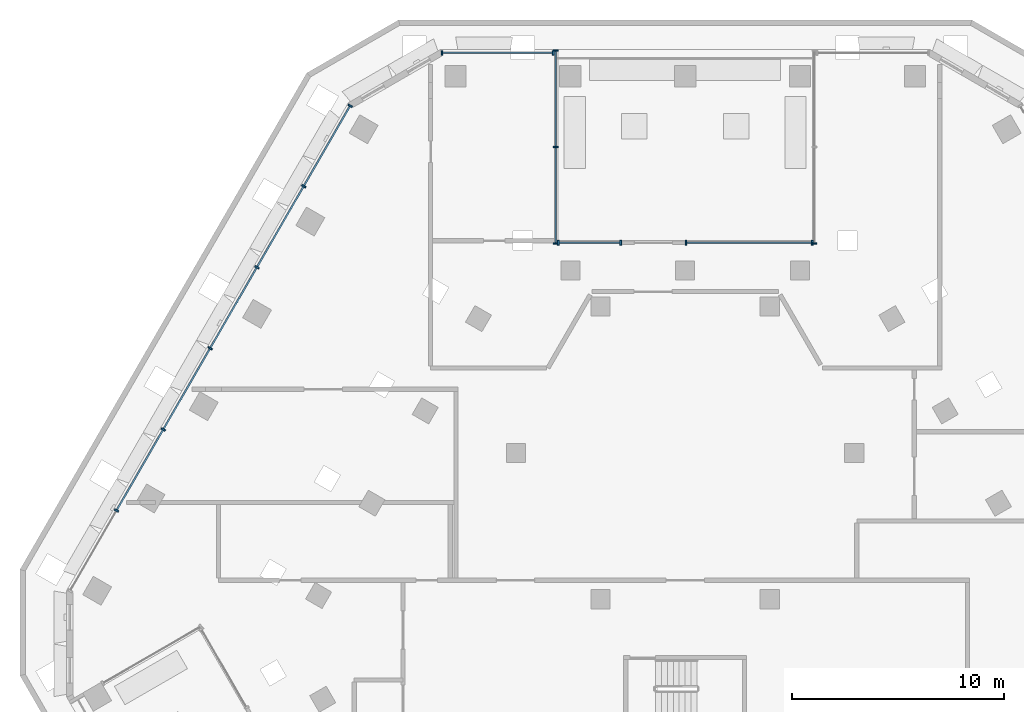
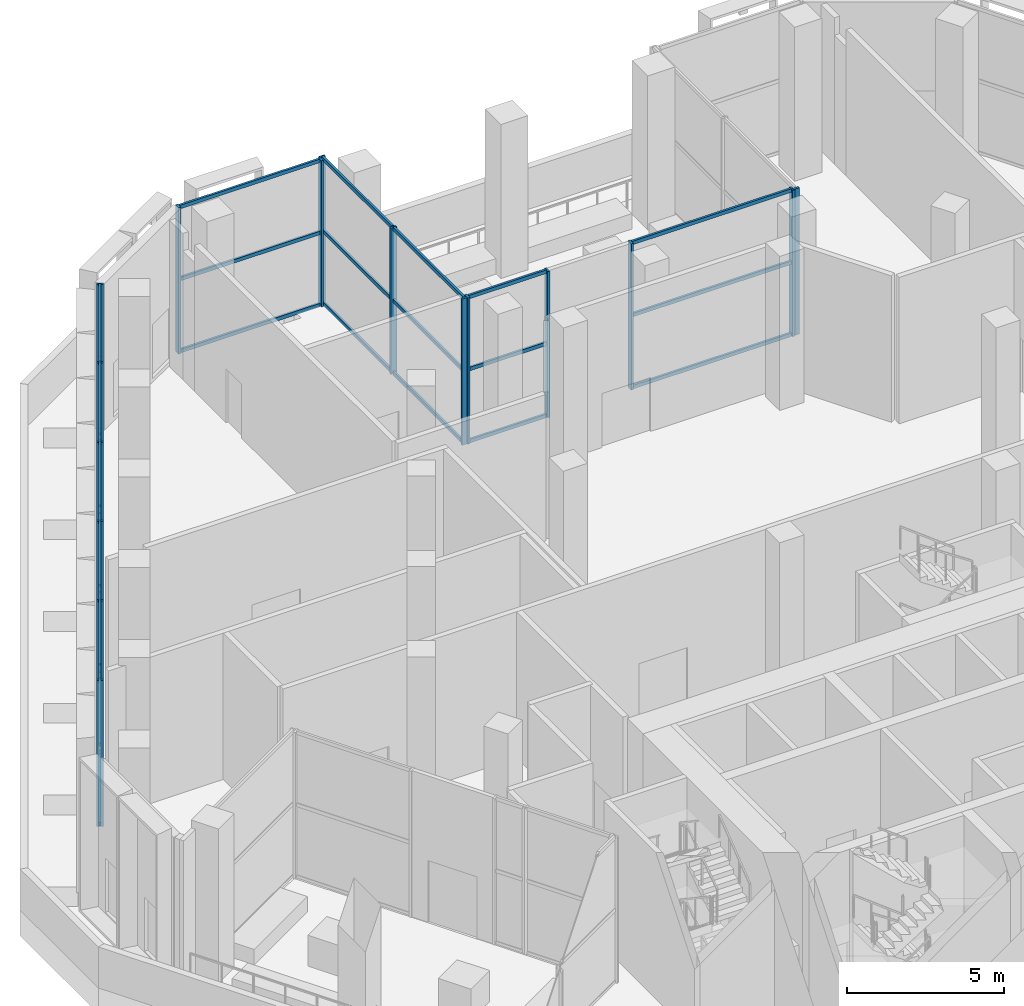
# One storey, part 4 of 23: 46 members, 6 elements without a shape of their own.
"""IFC4 building model written with IfcOpenShell, lengths in metres."""

from ifc_helpers import new_model, si_unit, direction, frame, origin, origin_2d, place, context, subcontext, project, spatial, rectangle, hollow_rectangle, extrude, material, material_profile, profile_set, type_object, element, aggregate, save


model = new_model("IFC4")

# Units and contexts
model_context = context("Model", 3, precision=1e-05, world=origin(), true_north=direction((0.0, 1.0)))
body_context = subcontext(model_context, "Body", "Model", "MODEL_VIEW")
ifc_project = project(units=[si_unit("LENGTHUNIT", "METRE"), si_unit("AREAUNIT", "SQUARE_METRE"), si_unit("VOLUMEUNIT", "CUBIC_METRE"), si_unit("PLANEANGLEUNIT", "RADIAN"), si_unit("MASSUNIT", "GRAM", prefix="KILO")], contexts=[model_context])

# Site, building, storey
site_placement = place(None, origin())
site = spatial("IfcSite", under=ifc_project, at=site_placement, CompositionType="ELEMENT")
building_placement = place(site_placement, origin())
building = spatial("IfcBuilding", under=site, at=building_placement, Name="Beryl Residences", CompositionType="ELEMENT")
storey_placement = place(building_placement, frame((0.0, 0.0, 66.0)))
storey = spatial("IfcBuildingStorey", under=building, at=storey_placement, Name="L20", CompositionType="ELEMENT", Elevation=66.0)

# Curtain wall, members
ifc_material_1 = material(Name="Aluminium and clear glass", Category="aluminium")
curtain_wall_type = type_object("IfcCurtainWallType", Name="CW3 sky garden glazing glazed wall", PredefinedType="NOTDEFINED", material=ifc_material_1)
curtain_wall_1_placement = place(storey_placement, origin())
curtain_wall_1 = element("IfcCurtainWall", 1, at=curtain_wall_1_placement, inside=storey, type_object=curtain_wall_type, Name="CW3 L20 N", PredefinedType="NOTDEFINED")
ifc_material_2 = material(Name="Aluminium", Category="aluminium")
ifc_material_profile_1 = material_profile(ifc_material_2, rectangle(XDim=0.080078125, YDim=0.219970703125, at=origin_2d()))
ifc_profile_set_1 = profile_set([ifc_material_profile_1], Name="Aluminium")
member_type_1 = type_object("IfcMemberType", Name="CW3-M mullion 80 x 220 mm", PredefinedType="MULLION", material=ifc_profile_set_1)
member_1_placement = place(storey_placement, frame((-6.215087890625, 26.85009765625, 0.0), z_axis=(0.0, 0.0, 1.0), x_axis=(-1.0, 0.0, 0.0)))
member_1 = element("IfcMember", 2, at=member_1_placement, type_object=member_type_1, Name="CW3 mullion 1", PredefinedType="MULLION", context=body_context, shape_type="SweptSolid", body=[
    extrude(rectangle(XDim=0.080078125, YDim=0.219970703125, at=origin_2d()), origin(), (0.0, 0.0, 1.0), 5.699951171875),
])
member_2_placement = place(storey_placement, frame((-11.467041015625, 26.85009765625, 0.0), z_axis=(0.0, 0.0, 1.0), x_axis=(-1.0, 0.0, 0.0)))
member_2 = element("IfcMember", 3, at=member_2_placement, type_object=member_type_1, Name="CW3 mullion 2", PredefinedType="MULLION", context=body_context, shape_type="SweptSolid", body=[
    extrude(rectangle(XDim=0.080078125, YDim=0.219970703125, at=origin_2d()), origin(), (0.0, 0.0, 1.0), 5.699951171875),
])

curtain_wall_2_placement = place(storey_placement, origin())
curtain_wall_2 = element("IfcCurtainWall", 4, at=curtain_wall_2_placement, inside=storey, type_object=curtain_wall_type, Name="CW3 L20 NW", PredefinedType="NOTDEFINED")
member_3_placement = place(storey_placement, frame((-15.7880859375, 24.35546875, 0.0), z_axis=(0.0, 0.0, 1.0), x_axis=(-0.500010149942, -0.866019543634, 0.0)))
member_3 = element("IfcMember", 5, at=member_3_placement, type_object=member_type_1, Name="CW3 mullion 1", PredefinedType="MULLION", context=body_context, shape_type="SweptSolid", body=[
    extrude(rectangle(XDim=0.080078125, YDim=0.219970703125, at=origin_2d()), origin(), (0.0, 0.0, 1.0), 5.699951171875),
])
member_4_placement = place(storey_placement, frame((-17.974609375, 20.568359375, 0.0), z_axis=(0.0, 0.0, 1.0), x_axis=(-0.500010149942, -0.866019543634, 0.0)))
member_4 = element("IfcMember", 6, at=member_4_placement, type_object=member_type_1, Name="CW3 mullion 2", PredefinedType="MULLION", context=body_context, shape_type="SweptSolid", body=[
    extrude(rectangle(XDim=0.080078125, YDim=0.219970703125, at=origin_2d()), origin(), (0.0, 0.0, 1.0), 5.699951171875),
])
member_5_placement = place(storey_placement, frame((-20.180908203125, 16.74658203125, 0.0), z_axis=(0.0, 0.0, 1.0), x_axis=(-0.500010149942, -0.866019543634, 0.0)))
member_5 = element("IfcMember", 7, at=member_5_placement, type_object=member_type_1, Name="CW3 mullion 3", PredefinedType="MULLION", context=body_context, shape_type="SweptSolid", body=[
    extrude(rectangle(XDim=0.080078125, YDim=0.219970703125, at=origin_2d()), origin(), (0.0, 0.0, 1.0), 5.699951171875),
])
member_6_placement = place(storey_placement, frame((-22.387451171875, 12.925048828125, 0.0), z_axis=(0.0, 0.0, 1.0), x_axis=(-0.500010149942, -0.866019543634, 0.0)))
member_6 = element("IfcMember", 8, at=member_6_placement, type_object=member_type_1, Name="CW3 mullion 4", PredefinedType="MULLION", context=body_context, shape_type="SweptSolid", body=[
    extrude(rectangle(XDim=0.080078125, YDim=0.219970703125, at=origin_2d()), origin(), (0.0, 0.0, 1.0), 5.699951171875),
])
member_7_placement = place(storey_placement, frame((-24.593994140625, 9.103271484375, 0.0), z_axis=(0.0, 0.0, 1.0), x_axis=(-0.500010149942, -0.866019543634, 0.0)))
member_7 = element("IfcMember", 9, at=member_7_placement, type_object=member_type_1, Name="CW3 mullion 5", PredefinedType="MULLION", context=body_context, shape_type="SweptSolid", body=[
    extrude(rectangle(XDim=0.080078125, YDim=0.219970703125, at=origin_2d()), origin(), (0.0, 0.0, 1.0), 5.699951171875),
])
member_8_placement = place(storey_placement, frame((-26.800537109375, 5.28173828125, 0.0), z_axis=(0.0, 0.0, 1.0), x_axis=(-0.500010149942, -0.866019543634, 0.0)))
member_8 = element("IfcMember", 10, at=member_8_placement, type_object=member_type_1, Name="CW3 mullion 6", PredefinedType="MULLION", context=body_context, shape_type="SweptSolid", body=[
    extrude(rectangle(XDim=0.080078125, YDim=0.219970703125, at=origin_2d()), origin(), (0.0, 0.0, 1.0), 5.699951171875),
])

curtain_wall_3_placement = place(storey_placement, origin())
curtain_wall_3 = element("IfcCurtainWall", 11, at=curtain_wall_3_placement, inside=storey, type_object=curtain_wall_type, Name="CW3 L20 N garden back", PredefinedType="NOTDEFINED")
member_9_placement = place(storey_placement, frame((5.985107421875, 17.89990234375, 0.0), z_axis=(0.0, 0.0, 1.0), x_axis=(-1.0, 0.0, 0.0)))
member_9 = element("IfcMember", 12, at=member_9_placement, type_object=member_type_1, Name="CW3 mullion 1", PredefinedType="MULLION", context=body_context, shape_type="SweptSolid", body=[
    extrude(rectangle(XDim=0.080078125, YDim=0.219970703125, at=origin_2d()), origin(), (0.0, 0.0, 1.0), 5.699951171875),
])
member_10_placement = place(storey_placement, frame((0.0400390625, 17.89990234375, 0.0), z_axis=(0.0, 0.0, 1.0), x_axis=(-1.0, 0.0, 0.0)))
member_10 = element("IfcMember", 13, at=member_10_placement, type_object=member_type_1, Name="CW3 mullion 2", PredefinedType="MULLION", context=body_context, shape_type="SweptSolid", body=[
    extrude(rectangle(XDim=0.080078125, YDim=0.219970703125, at=origin_2d()), origin(), (0.0, 0.0, 1.0), 5.699951171875),
])

curtain_wall_4_placement = place(storey_placement, origin())
curtain_wall_4 = element("IfcCurtainWall", 14, at=curtain_wall_4_placement, inside=storey, type_object=curtain_wall_type, Name="CW3 L20 N garden back", PredefinedType="NOTDEFINED")
member_11_placement = place(storey_placement, frame((-3.0400390625, 17.89990234375, 0.0), z_axis=(0.0, 0.0, 1.0), x_axis=(-1.0, 0.0, 0.0)))
member_11 = element("IfcMember", 15, at=member_11_placement, type_object=member_type_1, Name="CW3 mullion 1", PredefinedType="MULLION", context=body_context, shape_type="SweptSolid", body=[
    extrude(rectangle(XDim=0.080078125, YDim=0.219970703125, at=origin_2d()), origin(), (0.0, 0.0, 1.0), 5.699951171875),
])
member_12_placement = place(storey_placement, frame((-5.985107421875, 17.89990234375, 0.0), z_axis=(0.0, 0.0, 1.0), x_axis=(-1.0, 0.0, 0.0)))
member_12 = element("IfcMember", 16, at=member_12_placement, type_object=member_type_1, Name="CW3 mullion 2", PredefinedType="MULLION", context=body_context, shape_type="SweptSolid", body=[
    extrude(rectangle(XDim=0.080078125, YDim=0.219970703125, at=origin_2d()), origin(), (0.0, 0.0, 1.0), 5.699951171875),
])

# Curtain wall, member
curtain_wall_5_placement = place(storey_placement, origin())
curtain_wall_5 = element("IfcCurtainWall", 17, at=curtain_wall_5_placement, inside=storey, type_object=curtain_wall_type, Name="CW3 L20 N garden left", PredefinedType="NOTDEFINED")
member_13_placement = place(storey_placement, frame((6.10009765625, 17.864990234375, 0.0), z_axis=(0.0, 0.0, 1.0), x_axis=(0.0, -1.0, 0.0)))
member_13 = element("IfcMember", 18, at=member_13_placement, type_object=member_type_1, Name="CW3 mullion 3", PredefinedType="MULLION", context=body_context, shape_type="SweptSolid", body=[
    extrude(rectangle(XDim=0.080078125, YDim=0.219970703125, at=origin_2d()), origin(), (0.0, 0.0, 1.0), 5.699951171875),
])
aggregate(curtain_wall_5, [member_13])

# Curtain wall, members
curtain_wall_6_placement = place(storey_placement, origin())
curtain_wall_6 = element("IfcCurtainWall", 19, at=curtain_wall_6_placement, inside=storey, type_object=curtain_wall_type, Name="CW3 L20 N garden right", PredefinedType="NOTDEFINED")
member_14_placement = place(storey_placement, frame((-6.10009765625, 26.9599609375, 0.0), z_axis=(0.0, 0.0, 1.0), x_axis=(0.0, -1.0, 0.0)))
member_14 = element("IfcMember", 20, at=member_14_placement, type_object=member_type_1, Name="CW3 mullion 1", PredefinedType="MULLION", context=body_context, shape_type="SweptSolid", body=[
    extrude(rectangle(XDim=0.080078125, YDim=0.219970703125, at=origin_2d()), origin(), (0.0, 0.0, 1.0), 5.699951171875),
])
member_15_placement = place(storey_placement, frame((-6.10009765625, 22.41259765625, 0.0), z_axis=(0.0, 0.0, 1.0), x_axis=(0.0, -1.0, 0.0)))
member_15 = element("IfcMember", 21, at=member_15_placement, type_object=member_type_1, Name="CW3 mullion 2", PredefinedType="MULLION", context=body_context, shape_type="SweptSolid", body=[
    extrude(rectangle(XDim=0.080078125, YDim=0.219970703125, at=origin_2d()), origin(), (0.0, 0.0, 1.0), 5.699951171875),
])
member_16_placement = place(storey_placement, frame((-6.10009765625, 17.864990234375, 0.0), z_axis=(0.0, 0.0, 1.0), x_axis=(0.0, -1.0, 0.0)))
member_16 = element("IfcMember", 22, at=member_16_placement, type_object=member_type_1, Name="CW3 mullion 3", PredefinedType="MULLION", context=body_context, shape_type="SweptSolid", body=[
    extrude(rectangle(XDim=0.080078125, YDim=0.219970703125, at=origin_2d()), origin(), (0.0, 0.0, 1.0), 5.699951171875),
])

# Member
ifc_material_3 = material(Name="Aluminium", Category="aluminium")
ifc_material_profile_2 = material_profile(ifc_material_3, hollow_rectangle(XDim=0.080078125, YDim=0.139892578125, WallThickness=0.00390625, at=origin_2d()))
ifc_profile_set_2 = profile_set([ifc_material_profile_2], Name="Aluminium")
member_type_2 = type_object("IfcMemberType", Name="CW3-T transom 80 x 140 mm", PredefinedType="USERDEFINED", material=ifc_profile_set_2)
member_17_placement = place(storey_placement, frame((-6.2548828125, 26.85009765625, 0.0400390625), z_axis=(-1.0, 0.0, 0.0), x_axis=(0.0, -1.0, 0.0)))
member_17 = element("IfcMember", 23, at=member_17_placement, type_object=member_type_2, Name="CW3 transom 1.1", ObjectType="TRANSOM", PredefinedType="USERDEFINED", context=body_context, shape_type="SweptSolid", body=[
    extrude(hollow_rectangle(XDim=0.080078125, YDim=0.139892578125, WallThickness=0.00390625, at=origin_2d()), origin(), (0.0, 0.0, 1.0), 5.172119140625),
])

member_18_placement = place(storey_placement, frame((-6.2548828125, 26.85009765625, 2.85009765625), z_axis=(-1.0, 0.0, 0.0), x_axis=(0.0, -1.0, 0.0)))
member_18 = element("IfcMember", 24, at=member_18_placement, type_object=member_type_2, Name="CW3 transom 1.2", ObjectType="TRANSOM", PredefinedType="USERDEFINED", context=body_context, shape_type="SweptSolid", body=[
    extrude(hollow_rectangle(XDim=0.080078125, YDim=0.139892578125, WallThickness=0.00390625, at=origin_2d()), origin(), (0.0, 0.0, 1.0), 5.172119140625),
])

member_19_placement = place(storey_placement, frame((-6.2548828125, 26.85009765625, 5.659912109375), z_axis=(-1.0, 0.0, 0.0), x_axis=(0.0, -1.0, 0.0)))
member_19 = element("IfcMember", 25, at=member_19_placement, type_object=member_type_2, Name="CW3 transom 1.3", ObjectType="TRANSOM", PredefinedType="USERDEFINED", context=body_context, shape_type="SweptSolid", body=[
    extrude(hollow_rectangle(XDim=0.080078125, YDim=0.139892578125, WallThickness=0.00390625, at=origin_2d()), origin(), (0.0, 0.0, 1.0), 5.172119140625),
])

aggregate(curtain_wall_1, [member_1, member_2, member_17, member_18, member_19])

member_20_placement = place(storey_placement, frame((-15.80810546875, 24.32080078125, 0.0400390625), z_axis=(-0.500004696101, -0.866022692473, 0.0), x_axis=(0.866022692473, -0.500004696101, 0.0)))
member_20 = element("IfcMember", 26, at=member_20_placement, type_object=member_type_2, Name="CW3 transom 1.1", ObjectType="TRANSOM", PredefinedType="USERDEFINED", context=body_context, shape_type="SweptSolid", body=[
    extrude(hollow_rectangle(XDim=0.080078125, YDim=0.139892578125, WallThickness=0.00390625, at=origin_2d()), origin(), (0.0, 0.0, 1.0), 4.29296875),
])

member_21_placement = place(storey_placement, frame((-15.80810546875, 24.32080078125, 2.85009765625), z_axis=(-0.500004696101, -0.866022692473, 0.0), x_axis=(0.866022692473, -0.500004696101, 0.0)))
member_21 = element("IfcMember", 27, at=member_21_placement, type_object=member_type_2, Name="CW3 transom 1.2", ObjectType="TRANSOM", PredefinedType="USERDEFINED", context=body_context, shape_type="SweptSolid", body=[
    extrude(hollow_rectangle(XDim=0.080078125, YDim=0.139892578125, WallThickness=0.00390625, at=origin_2d()), origin(), (0.0, 0.0, 1.0), 4.29296875),
])

member_22_placement = place(storey_placement, frame((-15.80810546875, 24.32080078125, 5.659912109375), z_axis=(-0.500004696101, -0.866022692473, 0.0), x_axis=(0.866022692473, -0.500004696101, 0.0)))
member_22 = element("IfcMember", 28, at=member_22_placement, type_object=member_type_2, Name="CW3 transom 1.3", ObjectType="TRANSOM", PredefinedType="USERDEFINED", context=body_context, shape_type="SweptSolid", body=[
    extrude(hollow_rectangle(XDim=0.080078125, YDim=0.139892578125, WallThickness=0.00390625, at=origin_2d()), origin(), (0.0, 0.0, 1.0), 4.29296875),
])

member_23_placement = place(storey_placement, frame((-17.994384765625, 20.53369140625, 0.0400390625), z_axis=(-0.500005339912, -0.866022320763, 0.0), x_axis=(0.866022320763, -0.500005339912, 0.0)))
member_23 = element("IfcMember", 29, at=member_23_placement, type_object=member_type_2, Name="CW3 transom 2.1", ObjectType="TRANSOM", PredefinedType="USERDEFINED", context=body_context, shape_type="SweptSolid", body=[
    extrude(hollow_rectangle(XDim=0.080078125, YDim=0.139892578125, WallThickness=0.00390625, at=origin_2d()), origin(), (0.0, 0.0, 1.0), 4.3330078125),
])

member_24_placement = place(storey_placement, frame((-17.994384765625, 20.53369140625, 2.85009765625), z_axis=(-0.500005339912, -0.866022320763, 0.0), x_axis=(0.866022320763, -0.500005339912, 0.0)))
member_24 = element("IfcMember", 30, at=member_24_placement, type_object=member_type_2, Name="CW3 transom 2.2", ObjectType="TRANSOM", PredefinedType="USERDEFINED", context=body_context, shape_type="SweptSolid", body=[
    extrude(hollow_rectangle(XDim=0.080078125, YDim=0.139892578125, WallThickness=0.00390625, at=origin_2d()), origin(), (0.0, 0.0, 1.0), 4.3330078125),
])

member_25_placement = place(storey_placement, frame((-17.994384765625, 20.53369140625, 5.659912109375), z_axis=(-0.500005339912, -0.866022320763, 0.0), x_axis=(0.866022320763, -0.500005339912, 0.0)))
member_25 = element("IfcMember", 31, at=member_25_placement, type_object=member_type_2, Name="CW3 transom 2.3", ObjectType="TRANSOM", PredefinedType="USERDEFINED", context=body_context, shape_type="SweptSolid", body=[
    extrude(hollow_rectangle(XDim=0.080078125, YDim=0.139892578125, WallThickness=0.00390625, at=origin_2d()), origin(), (0.0, 0.0, 1.0), 4.3330078125),
])

member_26_placement = place(storey_placement, frame((-20.200927734375, 16.7119140625, 0.0400390625), z_axis=(-0.500029739169, -0.866008233186, 0.0), x_axis=(0.866008233186, -0.500029739169, 0.0)))
member_26 = element("IfcMember", 32, at=member_26_placement, type_object=member_type_2, Name="CW3 transom 3.1", ObjectType="TRANSOM", PredefinedType="USERDEFINED", context=body_context, shape_type="SweptSolid", body=[
    extrude(hollow_rectangle(XDim=0.080078125, YDim=0.139892578125, WallThickness=0.00390625, at=origin_2d()), origin(), (0.0, 0.0, 1.0), 4.332763671875),
])

member_27_placement = place(storey_placement, frame((-20.200927734375, 16.7119140625, 2.85009765625), z_axis=(-0.500029739169, -0.866008233186, 0.0), x_axis=(0.866008233186, -0.500029739169, 0.0)))
member_27 = element("IfcMember", 33, at=member_27_placement, type_object=member_type_2, Name="CW3 transom 3.2", ObjectType="TRANSOM", PredefinedType="USERDEFINED", context=body_context, shape_type="SweptSolid", body=[
    extrude(hollow_rectangle(XDim=0.080078125, YDim=0.139892578125, WallThickness=0.00390625, at=origin_2d()), origin(), (0.0, 0.0, 1.0), 4.332763671875),
])

member_28_placement = place(storey_placement, frame((-20.200927734375, 16.7119140625, 5.659912109375), z_axis=(-0.500029739169, -0.866008233186, 0.0), x_axis=(0.866008233186, -0.500029739169, 0.0)))
member_28 = element("IfcMember", 34, at=member_28_placement, type_object=member_type_2, Name="CW3 transom 3.3", ObjectType="TRANSOM", PredefinedType="USERDEFINED", context=body_context, shape_type="SweptSolid", body=[
    extrude(hollow_rectangle(XDim=0.080078125, YDim=0.139892578125, WallThickness=0.00390625, at=origin_2d()), origin(), (0.0, 0.0, 1.0), 4.332763671875),
])

member_29_placement = place(storey_placement, frame((-22.407470703125, 12.890380859375, 0.0400390625), z_axis=(-0.500005339912, -0.866022320763, 0.0), x_axis=(0.866022320763, -0.500005339912, 0.0)))
member_29 = element("IfcMember", 35, at=member_29_placement, type_object=member_type_2, Name="CW3 transom 4.1", ObjectType="TRANSOM", PredefinedType="USERDEFINED", context=body_context, shape_type="SweptSolid", body=[
    extrude(hollow_rectangle(XDim=0.080078125, YDim=0.139892578125, WallThickness=0.00390625, at=origin_2d()), origin(), (0.0, 0.0, 1.0), 4.3330078125),
])

member_30_placement = place(storey_placement, frame((-22.407470703125, 12.890380859375, 2.85009765625), z_axis=(-0.500005339912, -0.866022320763, 0.0), x_axis=(0.866022320763, -0.500005339912, 0.0)))
member_30 = element("IfcMember", 36, at=member_30_placement, type_object=member_type_2, Name="CW3 transom 4.2", ObjectType="TRANSOM", PredefinedType="USERDEFINED", context=body_context, shape_type="SweptSolid", body=[
    extrude(hollow_rectangle(XDim=0.080078125, YDim=0.139892578125, WallThickness=0.00390625, at=origin_2d()), origin(), (0.0, 0.0, 1.0), 4.3330078125),
])

member_31_placement = place(storey_placement, frame((-22.407470703125, 12.890380859375, 5.659912109375), z_axis=(-0.500005339912, -0.866022320763, 0.0), x_axis=(0.866022320763, -0.500005339912, 0.0)))
member_31 = element("IfcMember", 37, at=member_31_placement, type_object=member_type_2, Name="CW3 transom 4.3", ObjectType="TRANSOM", PredefinedType="USERDEFINED", context=body_context, shape_type="SweptSolid", body=[
    extrude(hollow_rectangle(XDim=0.080078125, YDim=0.139892578125, WallThickness=0.00390625, at=origin_2d()), origin(), (0.0, 0.0, 1.0), 4.3330078125),
])

member_32_placement = place(storey_placement, frame((-24.614013671875, 9.068603515625, 0.0400390625), z_axis=(-0.500029739169, -0.866008233186, 0.0), x_axis=(0.866008233186, -0.500029739169, 0.0)))
member_32 = element("IfcMember", 38, at=member_32_placement, type_object=member_type_2, Name="CW3 transom 5.1", ObjectType="TRANSOM", PredefinedType="USERDEFINED", context=body_context, shape_type="SweptSolid", body=[
    extrude(hollow_rectangle(XDim=0.080078125, YDim=0.139892578125, WallThickness=0.00390625, at=origin_2d()), origin(), (0.0, 0.0, 1.0), 4.332763671875),
])

member_33_placement = place(storey_placement, frame((-24.614013671875, 9.068603515625, 2.85009765625), z_axis=(-0.500029739169, -0.866008233186, 0.0), x_axis=(0.866008233186, -0.500029739169, 0.0)))
member_33 = element("IfcMember", 39, at=member_33_placement, type_object=member_type_2, Name="CW3 transom 5.2", ObjectType="TRANSOM", PredefinedType="USERDEFINED", context=body_context, shape_type="SweptSolid", body=[
    extrude(hollow_rectangle(XDim=0.080078125, YDim=0.139892578125, WallThickness=0.00390625, at=origin_2d()), origin(), (0.0, 0.0, 1.0), 4.332763671875),
])

member_34_placement = place(storey_placement, frame((-24.614013671875, 9.068603515625, 5.659912109375), z_axis=(-0.500029739169, -0.866008233186, 0.0), x_axis=(0.866008233186, -0.500029739169, 0.0)))
member_34 = element("IfcMember", 40, at=member_34_placement, type_object=member_type_2, Name="CW3 transom 5.3", ObjectType="TRANSOM", PredefinedType="USERDEFINED", context=body_context, shape_type="SweptSolid", body=[
    extrude(hollow_rectangle(XDim=0.080078125, YDim=0.139892578125, WallThickness=0.00390625, at=origin_2d()), origin(), (0.0, 0.0, 1.0), 4.332763671875),
])

aggregate(curtain_wall_2, [member_3, member_4, member_5, member_6, member_7, member_8, member_20, member_21, member_22, member_23, member_24, member_25, member_26, member_27, member_28, member_29, member_30, member_31, member_32, member_33, member_34])

member_35_placement = place(storey_placement, frame((5.945068359375, 17.89990234375, 0.0400390625), z_axis=(-1.0, 0.0, 0.0), x_axis=(0.0, -1.0, 0.0)))
member_35 = element("IfcMember", 41, at=member_35_placement, type_object=member_type_2, Name="CW3 transom 1.1", ObjectType="TRANSOM", PredefinedType="USERDEFINED", context=body_context, shape_type="SweptSolid", body=[
    extrude(hollow_rectangle(XDim=0.080078125, YDim=0.139892578125, WallThickness=0.00390625, at=origin_2d()), origin(), (0.0, 0.0, 1.0), 5.864990234375),
])

member_36_placement = place(storey_placement, frame((5.945068359375, 17.89990234375, 2.85009765625), z_axis=(-1.0, 0.0, 0.0), x_axis=(0.0, -1.0, 0.0)))
member_36 = element("IfcMember", 42, at=member_36_placement, type_object=member_type_2, Name="CW3 transom 1.2", ObjectType="TRANSOM", PredefinedType="USERDEFINED", context=body_context, shape_type="SweptSolid", body=[
    extrude(hollow_rectangle(XDim=0.080078125, YDim=0.139892578125, WallThickness=0.00390625, at=origin_2d()), origin(), (0.0, 0.0, 1.0), 5.864990234375),
])

member_37_placement = place(storey_placement, frame((5.945068359375, 17.89990234375, 5.659912109375), z_axis=(-1.0, 0.0, 0.0), x_axis=(0.0, -1.0, 0.0)))
member_37 = element("IfcMember", 43, at=member_37_placement, type_object=member_type_2, Name="CW3 transom 1.3", ObjectType="TRANSOM", PredefinedType="USERDEFINED", context=body_context, shape_type="SweptSolid", body=[
    extrude(hollow_rectangle(XDim=0.080078125, YDim=0.139892578125, WallThickness=0.00390625, at=origin_2d()), origin(), (0.0, 0.0, 1.0), 5.864990234375),
])

aggregate(curtain_wall_3, [member_9, member_10, member_35, member_36, member_37])

member_38_placement = place(storey_placement, frame((-3.080078125, 17.89990234375, 0.0400390625), z_axis=(-1.0, 0.0, 0.0), x_axis=(0.0, -1.0, 0.0)))
member_38 = element("IfcMember", 44, at=member_38_placement, type_object=member_type_2, Name="CW3 transom 1.1", ObjectType="TRANSOM", PredefinedType="USERDEFINED", context=body_context, shape_type="SweptSolid", body=[
    extrude(hollow_rectangle(XDim=0.080078125, YDim=0.139892578125, WallThickness=0.00390625, at=origin_2d()), origin(), (0.0, 0.0, 1.0), 2.864990234375),
])

member_39_placement = place(storey_placement, frame((-3.080078125, 17.89990234375, 2.85009765625), z_axis=(-1.0, 0.0, 0.0), x_axis=(0.0, -1.0, 0.0)))
member_39 = element("IfcMember", 45, at=member_39_placement, type_object=member_type_2, Name="CW3 transom 1.2", ObjectType="TRANSOM", PredefinedType="USERDEFINED", context=body_context, shape_type="SweptSolid", body=[
    extrude(hollow_rectangle(XDim=0.080078125, YDim=0.139892578125, WallThickness=0.00390625, at=origin_2d()), origin(), (0.0, 0.0, 1.0), 2.864990234375),
])

member_40_placement = place(storey_placement, frame((-3.080078125, 17.89990234375, 5.659912109375), z_axis=(-1.0, 0.0, 0.0), x_axis=(0.0, -1.0, 0.0)))
member_40 = element("IfcMember", 46, at=member_40_placement, type_object=member_type_2, Name="CW3 transom 1.3", ObjectType="TRANSOM", PredefinedType="USERDEFINED", context=body_context, shape_type="SweptSolid", body=[
    extrude(hollow_rectangle(XDim=0.080078125, YDim=0.139892578125, WallThickness=0.00390625, at=origin_2d()), origin(), (0.0, 0.0, 1.0), 2.864990234375),
])

aggregate(curtain_wall_4, [member_11, member_12, member_38, member_39, member_40])

member_41_placement = place(storey_placement, frame((-6.10009765625, 26.919921875, 0.0400390625), z_axis=(0.0, -1.0, 0.0), x_axis=(1.0, 0.0, 0.0)))
member_41 = element("IfcMember", 47, at=member_41_placement, type_object=member_type_2, Name="CW3 transom 1.1", ObjectType="TRANSOM", PredefinedType="USERDEFINED", context=body_context, shape_type="SweptSolid", body=[
    extrude(hollow_rectangle(XDim=0.080078125, YDim=0.139892578125, WallThickness=0.00390625, at=origin_2d()), origin(), (0.0, 0.0, 1.0), 4.467529296875),
])

member_42_placement = place(storey_placement, frame((-6.10009765625, 26.919921875, 2.85009765625), z_axis=(0.0, -1.0, 0.0), x_axis=(1.0, 0.0, 0.0)))
member_42 = element("IfcMember", 48, at=member_42_placement, type_object=member_type_2, Name="CW3 transom 1.2", ObjectType="TRANSOM", PredefinedType="USERDEFINED", context=body_context, shape_type="SweptSolid", body=[
    extrude(hollow_rectangle(XDim=0.080078125, YDim=0.139892578125, WallThickness=0.00390625, at=origin_2d()), origin(), (0.0, 0.0, 1.0), 4.467529296875),
])

member_43_placement = place(storey_placement, frame((-6.10009765625, 26.919921875, 5.659912109375), z_axis=(0.0, -1.0, 0.0), x_axis=(1.0, 0.0, 0.0)))
member_43 = element("IfcMember", 49, at=member_43_placement, type_object=member_type_2, Name="CW3 transom 1.3", ObjectType="TRANSOM", PredefinedType="USERDEFINED", context=body_context, shape_type="SweptSolid", body=[
    extrude(hollow_rectangle(XDim=0.080078125, YDim=0.139892578125, WallThickness=0.00390625, at=origin_2d()), origin(), (0.0, 0.0, 1.0), 4.467529296875),
])

member_44_placement = place(storey_placement, frame((-6.10009765625, 22.37255859375, 0.0400390625), z_axis=(0.0, -1.0, 0.0), x_axis=(1.0, 0.0, 0.0)))
member_44 = element("IfcMember", 50, at=member_44_placement, type_object=member_type_2, Name="CW3 transom 2.1", ObjectType="TRANSOM", PredefinedType="USERDEFINED", context=body_context, shape_type="SweptSolid", body=[
    extrude(hollow_rectangle(XDim=0.080078125, YDim=0.139892578125, WallThickness=0.00390625, at=origin_2d()), origin(), (0.0, 0.0, 1.0), 4.467529296875),
])

member_45_placement = place(storey_placement, frame((-6.10009765625, 22.37255859375, 2.85009765625), z_axis=(0.0, -1.0, 0.0), x_axis=(1.0, 0.0, 0.0)))
member_45 = element("IfcMember", 51, at=member_45_placement, type_object=member_type_2, Name="CW3 transom 2.2", ObjectType="TRANSOM", PredefinedType="USERDEFINED", context=body_context, shape_type="SweptSolid", body=[
    extrude(hollow_rectangle(XDim=0.080078125, YDim=0.139892578125, WallThickness=0.00390625, at=origin_2d()), origin(), (0.0, 0.0, 1.0), 4.467529296875),
])

member_46_placement = place(storey_placement, frame((-6.10009765625, 22.37255859375, 5.659912109375), z_axis=(0.0, -1.0, 0.0), x_axis=(1.0, 0.0, 0.0)))
member_46 = element("IfcMember", 52, at=member_46_placement, type_object=member_type_2, Name="CW3 transom 2.3", ObjectType="TRANSOM", PredefinedType="USERDEFINED", context=body_context, shape_type="SweptSolid", body=[
    extrude(hollow_rectangle(XDim=0.080078125, YDim=0.139892578125, WallThickness=0.00390625, at=origin_2d()), origin(), (0.0, 0.0, 1.0), 4.467529296875),
])

aggregate(curtain_wall_6, [member_14, member_15, member_16, member_41, member_42, member_43, member_44, member_45, member_46])

save(model, "model.ifc")
